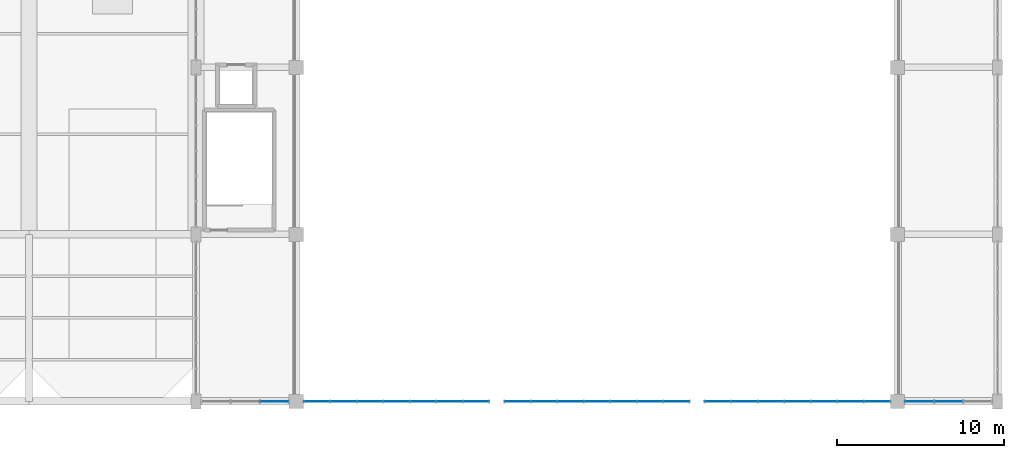
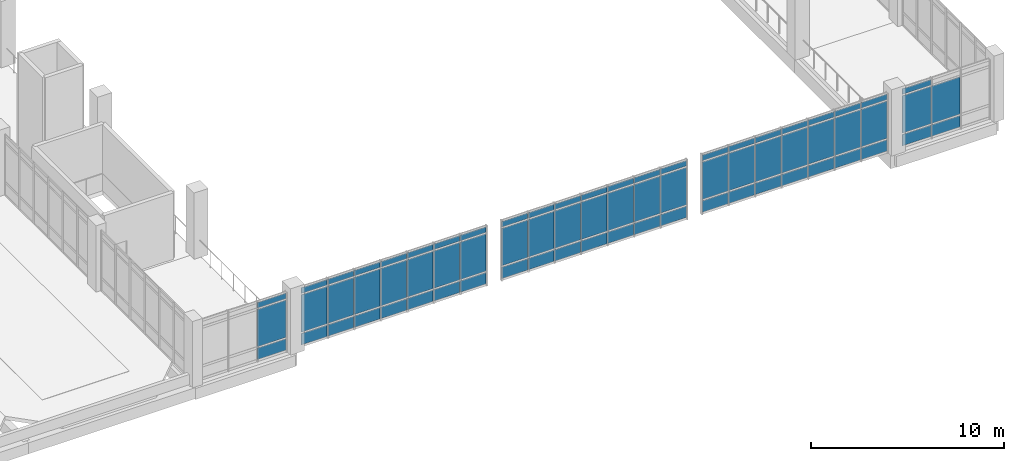
# One storey, part 136 of 161: 71 plates, 5 elements without a shape of their own.
"""IFC4 building model written with IfcOpenShell, lengths in metres."""

import ifcopenshell
import ifcopenshell.guid

model = None  # the IFC model being written
_history = None  # IfcOwnerHistory: only IFC2X3 demands one
_inside = {}  # id of a spatial element -> (the spatial element, [elements in it])
_under = {}  # id of a project, library or spatial element -> (it, [spatial elements below it])
_declared = {}  # id of a project -> (the project, [libraries it declares])
_typed = {}  # id of a type object -> (the type object, [elements of that type])
_made_of = {}  # id of a material, layer set ... -> (it, [elements and type objects made of it])


def new_model(schema):
    """Start an empty IFC model of exactly this schema.

    Asked for "IFC4X3", IfcOpenShell would pick the latest addendum, in which some entities
    have other attributes; the version numbers below select the first issue.
    IFC2X3 requires an IfcOwnerHistory on every rooted entity: one is made here for all.
    """
    global model, _history
    if schema == "IFC4X3":
        model = ifcopenshell.file(schema_version=(4, 3, 0, 0))
    else:
        model = ifcopenshell.file(schema=schema)
    _inside.clear()
    _under.clear()
    _declared.clear()
    _typed.clear()
    _made_of.clear()
    _history = None
    if model.schema == "IFC2X3":
        org = make("IfcOrganization", Name="unknown")
        user = make(
            "IfcPersonAndOrganization",
            ThePerson=make("IfcPerson", FamilyName="unknown"),
            TheOrganization=org,
        )
        app = make(
            "IfcApplication",
            ApplicationDeveloper=org,
            Version="unknown",
            ApplicationFullName="unknown",
            ApplicationIdentifier="unknown",
        )
        _history = make(
            "IfcOwnerHistory",
            OwningUser=user,
            OwningApplication=app,
            ChangeAction="ADDED",
            CreationDate=0,
        )
    return model


def make(cls, **values):
    """One entity of the class cls with the attributes given. An attribute that is None is left unset."""
    return model.create_entity(
        cls, **{name: value for name, value in values.items() if value is not None}
    )


def rooted(cls, **values):
    """An entity with a GlobalId (a new one), such as an element, a storey or a relation."""
    return make(cls, GlobalId=ifcopenshell.guid.new(), OwnerHistory=_history, **values)


def si_unit(unit_type, name, prefix=None):
    """IfcSIUnit, for example si_unit("LENGTHUNIT", "METRE", prefix="MILLI")."""
    return make("IfcSIUnit", UnitType=unit_type, Prefix=prefix, Name=name)


def assignment(units):
    """IfcUnitAssignment: the units of a project."""
    return None if units is None else make("IfcUnitAssignment", Units=units)


def point(xyz):
    """IfcCartesianPoint."""
    return None if xyz is None else make("IfcCartesianPoint", Coordinates=xyz)


def direction(xyz):
    """IfcDirection."""
    return None if xyz is None else make("IfcDirection", DirectionRatios=xyz)


def frame(location, z_axis=None, x_axis=None):
    """IfcAxis2Placement3D, a coordinate frame: its origin and axes. An axis left out is left unset."""
    return make(
        "IfcAxis2Placement3D",
        Location=point(location),
        Axis=direction(z_axis),
        RefDirection=direction(x_axis),
    )


def frame_2d(location, x_axis=None):
    """IfcAxis2Placement2D, a coordinate frame in the plane: its origin and x axis."""
    return make(
        "IfcAxis2Placement2D", Location=point(location), RefDirection=direction(x_axis)
    )


def origin():
    """The frame at (0, 0, 0) with its axes left unset."""
    return frame((0.0, 0.0, 0.0))


def origin_2d():
    """The frame at (0, 0) in the plane with its x axis left unset."""
    return frame_2d((0.0, 0.0))


def place(relative_to, where):
    """IfcLocalPlacement: puts the frame where relative to a parent placement (None: the world)."""
    return make(
        "IfcLocalPlacement", PlacementRelTo=relative_to, RelativePlacement=where
    )


def context(
    kind, dimensions, precision=None, world=None, true_north=None, identifier=None
):
    """IfcGeometricRepresentationContext, for example the 3D "Model" context."""
    return make(
        "IfcGeometricRepresentationContext",
        ContextIdentifier=identifier,
        ContextType=kind,
        CoordinateSpaceDimension=dimensions,
        Precision=precision,
        WorldCoordinateSystem=world,
        TrueNorth=true_north,
    )


def subcontext(parent, identifier, kind, view, scale=None):
    """IfcGeometricRepresentationSubContext, for example "Body" below "Model"."""
    return make(
        "IfcGeometricRepresentationSubContext",
        ContextIdentifier=identifier,
        ContextType=kind,
        ParentContext=parent,
        TargetScale=scale,
        TargetView=view,
    )


def project(units=None, contexts=None):
    """IfcProject with its units and contexts."""
    return rooted(
        "IfcProject",
        Name="project",
        RepresentationContexts=contexts,
        UnitsInContext=assignment(units),
    )


def spatial(cls, under=None, at=None, **own):
    """A site, building, storey or space (cls), placed at a placement, below another one or the project."""
    s = rooted(cls, ObjectPlacement=at, **own)
    if under is not None:
        _under.setdefault(under.id(), (under, []))[1].append(s)
    return s


def profile(cls, at=None, kind="AREA", **sizes):
    """A parametric profile (cls). Its sizes go by their IFC names, for example OverallWidth=200.0."""
    return make(cls, ProfileType=kind, Position=at, **sizes)


def rectangle(**sizes):
    """IfcRectangleProfileDef."""
    return profile("IfcRectangleProfileDef", **sizes)


def extrude(swept, where, along, depth):
    """IfcExtrudedAreaSolid: the profile swept, set in the frame where, extruded along a direction by depth."""
    return make(
        "IfcExtrudedAreaSolid",
        SweptArea=swept,
        Position=where,
        ExtrudedDirection=direction(along),
        Depth=depth,
    )


def shape(context_of_items, identifier, shape_type, items):
    """IfcShapeRepresentation: the items that make up one representation, for example the "Body"."""
    return make(
        "IfcShapeRepresentation",
        ContextOfItems=context_of_items,
        RepresentationIdentifier=identifier,
        RepresentationType=shape_type,
        Items=items,
    )


def material(Name=None, Category=None):
    """IfcMaterial."""
    return make("IfcMaterial", Name=Name, Category=Category)


def layer(
    of_material, thickness, ventilated=None, Name=None, Category=None, Priority=None
):
    """IfcMaterialLayer: one layer of a wall or slab, of a material (None: an air gap)."""
    return make(
        "IfcMaterialLayer",
        Material=of_material,
        LayerThickness=thickness,
        IsVentilated=ventilated,
        Name=Name,
        Category=Category,
        Priority=Priority,
    )


def layer_set(layers, Name=None):
    """IfcMaterialLayerSet."""
    return make("IfcMaterialLayerSet", MaterialLayers=layers, LayerSetName=Name)


def made_of(thing, what):
    """Note that an element or type object is made of a material, layer set ...; save() writes the relation."""
    if what is not None:
        _made_of.setdefault(what.id(), (what, []))[1].append(thing)
    return thing


def type_object(cls, material=None, **own):
    """A type object (cls), such as IfcWallType, which elements share."""
    return made_of(rooted(cls, **own), material)


def element(
    cls,
    number,
    at=None,
    inside=None,
    cuts=None,
    type_object=None,
    material=None,
    context=None,
    identifier="Body",
    shape_type=None,
    held_by="IfcProductDefinitionShape",
    body=None,
    shapes=None,
    **own,
):
    """One element of the class cls, such as IfcWall. Its Tag is "e" and its number.

    at: its placement. inside: the storey or other place that contains it. cuts: it is an
    opening in that element (IfcRelVoidsElement). A single representation is given by context,
    identifier, shape_type and body (its items); several are given by shapes. held_by: the class
    of the entity that holds the representations. save() writes the other relations.
    """
    e = rooted(cls, Tag="e%d" % number, ObjectPlacement=at, **own)
    if body is not None:
        shapes = [shape(context, identifier, shape_type, body)]
    if shapes is not None:
        e.Representation = make(held_by, Representations=shapes)
    if inside is not None:
        _inside.setdefault(inside.id(), (inside, []))[1].append(e)
    if cuts is not None:
        rooted(
            "IfcRelVoidsElement", RelatingBuildingElement=cuts, RelatedOpeningElement=e
        )
    if type_object is not None:
        _typed.setdefault(type_object.id(), (type_object, []))[1].append(e)
    return made_of(e, material)


def aggregate(whole, parts):
    """IfcRelAggregates: a whole, such as a stair, and the parts it consists of."""
    return rooted("IfcRelAggregates", RelatingObject=whole, RelatedObjects=parts)


def save(model, path):
    """Write the relations noted so far, then the file.

    IfcRelAggregates (storeys below a building ...), IfcRelContainedInSpatialStructure (elements
    in a storey), IfcRelDefinesByType, IfcRelAssociatesMaterial and IfcRelDeclares: one each for
    every whole, place, type object, material and project.
    """
    for whole, parts in _under.values():
        aggregate(whole, parts)
    for where, things in _inside.values():
        rooted(
            "IfcRelContainedInSpatialStructure",
            RelatedElements=things,
            RelatingStructure=where,
        )
    for kind, things in _typed.values():
        rooted("IfcRelDefinesByType", RelatedObjects=things, RelatingType=kind)
    for what, things in _made_of.values():
        rooted("IfcRelAssociatesMaterial", RelatedObjects=things, RelatingMaterial=what)
    for by, libraries in _declared.values():
        rooted("IfcRelDeclares", RelatingContext=by, RelatedDefinitions=libraries)
    model.write(path)


model = new_model("IFC4")

# Units and contexts
model_context = context("Model", 3, precision=1e-05, world=origin(), true_north=direction((0.0, 1.0)))
body_context = subcontext(model_context, "Body", "Model", "MODEL_VIEW")
ifc_project = project(units=[si_unit("LENGTHUNIT", "METRE"), si_unit("AREAUNIT", "SQUARE_METRE"), si_unit("VOLUMEUNIT", "CUBIC_METRE"), si_unit("PLANEANGLEUNIT", "RADIAN"), si_unit("MASSUNIT", "GRAM", prefix="KILO")], contexts=[model_context])

# Site, building, storey
site_placement = place(None, origin())
site = spatial("IfcSite", under=ifc_project, at=site_placement, CompositionType="ELEMENT")
building_placement = place(site_placement, origin())
building = spatial("IfcBuilding", under=site, at=building_placement, Name="Mersad Railyard Sports Hall", CompositionType="ELEMENT")
storey_placement = place(building_placement, frame((0.0, 0.0, 4.800048828125)))
storey = spatial("IfcBuildingStorey", under=building, at=storey_placement, Name="L01", CompositionType="ELEMENT", Elevation=4.800048828125)

# Curtain wall, plates
ifc_material_1 = material(Name="Aluminium 6063-T6", Category="aluminium")
ifc_layer_1 = layer(ifc_material_1, 0.199951171875)
ifc_layer_set_1 = layer_set([ifc_layer_1], Name="Aluminium 6063-T6")
curtain_wall_type_1 = type_object("IfcCurtainWallType", Name="ARC-CW-CW09", PredefinedType="USERDEFINED", material=ifc_layer_set_1)
curtain_wall_1_placement = place(storey_placement, origin())
curtain_wall_1 = element("IfcCurtainWall", 1, at=curtain_wall_1_placement, inside=storey, type_object=curtain_wall_type_1, Name="Curtain wall CW09-0036", ObjectType="CURTAIN WALL", PredefinedType="USERDEFINED")
ifc_material_2 = material(Name="Solar-control glass", Category="glass")
ifc_layer_2 = layer(ifc_material_2, 0.028076171875)
ifc_layer_set_2 = layer_set([ifc_layer_2], Name="Solar-control glass")
plate_type = type_object("IfcPlateType", Name="ARC-CW-PNL01", PredefinedType="CURTAIN_PANEL", material=ifc_layer_set_2)
plate_1_placement = place(storey_placement, frame((135.6826171875, 3.5, 0.0849609375), z_axis=(0.0, 0.0, 1.0), x_axis=(-1.0, 0.0, 0.0)))
plate_1 = element("IfcPlate", 2, at=plate_1_placement, type_object=plate_type, Name="CW09 Glazed panel 1-1", PredefinedType="CURTAIN_PANEL", context=body_context, shape_type="SweptSolid", body=[
    extrude(rectangle(XDim=1.700927734375, YDim=0.028076171875, at=origin_2d()), origin(), (0.0, 0.0, 1.0), 0.719970703125),
])
plate_2_placement = place(storey_placement, frame((135.6826171875, 3.5, 0.89501953125), z_axis=(0.0, 0.0, 1.0), x_axis=(-1.0, 0.0, 0.0)))
plate_2 = element("IfcPlate", 3, at=plate_2_placement, type_object=plate_type, Name="CW09 Glazed panel 1-2", PredefinedType="CURTAIN_PANEL", context=body_context, shape_type="SweptSolid", body=[
    extrude(rectangle(XDim=1.700927734375, YDim=0.028076171875, at=origin_2d()), origin(), (0.0, 0.0, 1.0), 2.360107421875),
])
plate_3_placement = place(storey_placement, frame((135.6826171875, 3.5, 3.344970703125), z_axis=(0.0, 0.0, 1.0), x_axis=(-1.0, 0.0, 0.0)))
plate_3 = element("IfcPlate", 4, at=plate_3_placement, type_object=plate_type, Name="CW09 Glazed panel 1-3", PredefinedType="CURTAIN_PANEL", context=body_context, shape_type="SweptSolid", body=[
    extrude(rectangle(XDim=1.700927734375, YDim=0.028076171875, at=origin_2d()), origin(), (0.0, 0.0, 1.0), 0.35009765625),
])
aggregate(curtain_wall_1, [plate_1, plate_2, plate_3])

ifc_layer_3 = layer(ifc_material_1, 0.199951171875)
ifc_layer_set_3 = layer_set([ifc_layer_3], Name="Aluminium 6063-T6")
curtain_wall_type_2 = type_object("IfcCurtainWallType", Name="ARC-CW-CW10", PredefinedType="USERDEFINED", material=ifc_layer_set_3)
curtain_wall_2_placement = place(storey_placement, origin())
curtain_wall_2 = element("IfcCurtainWall", 5, at=curtain_wall_2_placement, inside=storey, type_object=curtain_wall_type_2, Name="Curtain wall CW10-0037", ObjectType="CURTAIN WALL", PredefinedType="USERDEFINED")
plate_4_placement = place(storey_placement, frame((147.7568359375, 3.5, 0.0849609375), z_axis=(0.0, 0.0, 1.0), x_axis=(-1.0, 0.0, 0.0)))
plate_4 = element("IfcPlate", 6, at=plate_4_placement, type_object=plate_type, Name="CW10 Glazed panel 1-1", PredefinedType="CURTAIN_PANEL", context=body_context, shape_type="SweptSolid", body=[
    extrude(rectangle(XDim=1.54248046875, YDim=0.028076171875, at=origin_2d()), origin(), (0.0, 0.0, 1.0), 0.719970703125),
])
plate_5_placement = place(storey_placement, frame((147.7568359375, 3.5, 0.89501953125), z_axis=(0.0, 0.0, 1.0), x_axis=(-1.0, 0.0, 0.0)))
plate_5 = element("IfcPlate", 7, at=plate_5_placement, type_object=plate_type, Name="CW10 Glazed panel 1-2", PredefinedType="CURTAIN_PANEL", context=body_context, shape_type="SweptSolid", body=[
    extrude(rectangle(XDim=1.54248046875, YDim=0.028076171875, at=origin_2d()), origin(), (0.0, 0.0, 1.0), 2.360107421875),
])
plate_6_placement = place(storey_placement, frame((147.7568359375, 3.5, 3.344970703125), z_axis=(0.0, 0.0, 1.0), x_axis=(-1.0, 0.0, 0.0)))
plate_6 = element("IfcPlate", 8, at=plate_6_placement, type_object=plate_type, Name="CW10 Glazed panel 1-3", PredefinedType="CURTAIN_PANEL", context=body_context, shape_type="SweptSolid", body=[
    extrude(rectangle(XDim=1.54248046875, YDim=0.028076171875, at=origin_2d()), origin(), (0.0, 0.0, 1.0), 0.35009765625),
])
plate_7_placement = place(storey_placement, frame((146.17041015625, 3.5, 0.0849609375), z_axis=(0.0, 0.0, 1.0), x_axis=(-1.0, 0.0, 0.0)))
plate_7 = element("IfcPlate", 9, at=plate_7_placement, type_object=plate_type, Name="CW10 Glazed panel 2-1", PredefinedType="CURTAIN_PANEL", context=body_context, shape_type="SweptSolid", body=[
    extrude(rectangle(XDim=1.54248046875, YDim=0.028076171875, at=origin_2d()), origin(), (0.0, 0.0, 1.0), 0.719970703125),
])
plate_8_placement = place(storey_placement, frame((146.17041015625, 3.5, 0.89501953125), z_axis=(0.0, 0.0, 1.0), x_axis=(-1.0, 0.0, 0.0)))
plate_8 = element("IfcPlate", 10, at=plate_8_placement, type_object=plate_type, Name="CW10 Glazed panel 2-2", PredefinedType="CURTAIN_PANEL", context=body_context, shape_type="SweptSolid", body=[
    extrude(rectangle(XDim=1.54248046875, YDim=0.028076171875, at=origin_2d()), origin(), (0.0, 0.0, 1.0), 2.360107421875),
])
plate_9_placement = place(storey_placement, frame((146.17041015625, 3.5, 3.344970703125), z_axis=(0.0, 0.0, 1.0), x_axis=(-1.0, 0.0, 0.0)))
plate_9 = element("IfcPlate", 11, at=plate_9_placement, type_object=plate_type, Name="CW10 Glazed panel 2-3", PredefinedType="CURTAIN_PANEL", context=body_context, shape_type="SweptSolid", body=[
    extrude(rectangle(XDim=1.54248046875, YDim=0.028076171875, at=origin_2d()), origin(), (0.0, 0.0, 1.0), 0.35009765625),
])
plate_10_placement = place(storey_placement, frame((144.583984375, 3.5, 0.0849609375), z_axis=(0.0, 0.0, 1.0), x_axis=(-1.0, 0.0, 0.0)))
plate_10 = element("IfcPlate", 12, at=plate_10_placement, type_object=plate_type, Name="CW10 Glazed panel 3-1", PredefinedType="CURTAIN_PANEL", context=body_context, shape_type="SweptSolid", body=[
    extrude(rectangle(XDim=1.54248046875, YDim=0.028076171875, at=origin_2d()), origin(), (0.0, 0.0, 1.0), 0.719970703125),
])
plate_11_placement = place(storey_placement, frame((144.583984375, 3.5, 0.89501953125), z_axis=(0.0, 0.0, 1.0), x_axis=(-1.0, 0.0, 0.0)))
plate_11 = element("IfcPlate", 13, at=plate_11_placement, type_object=plate_type, Name="CW10 Glazed panel 3-2", PredefinedType="CURTAIN_PANEL", context=body_context, shape_type="SweptSolid", body=[
    extrude(rectangle(XDim=1.54248046875, YDim=0.028076171875, at=origin_2d()), origin(), (0.0, 0.0, 1.0), 2.360107421875),
])
plate_12_placement = place(storey_placement, frame((144.583984375, 3.5, 3.344970703125), z_axis=(0.0, 0.0, 1.0), x_axis=(-1.0, 0.0, 0.0)))
plate_12 = element("IfcPlate", 14, at=plate_12_placement, type_object=plate_type, Name="CW10 Glazed panel 3-3", PredefinedType="CURTAIN_PANEL", context=body_context, shape_type="SweptSolid", body=[
    extrude(rectangle(XDim=1.54248046875, YDim=0.028076171875, at=origin_2d()), origin(), (0.0, 0.0, 1.0), 0.35009765625),
])
plate_13_placement = place(storey_placement, frame((142.99755859375, 3.5, 0.0849609375), z_axis=(0.0, 0.0, 1.0), x_axis=(-1.0, 0.0, 0.0)))
plate_13 = element("IfcPlate", 15, at=plate_13_placement, type_object=plate_type, Name="CW10 Glazed panel 4-1", PredefinedType="CURTAIN_PANEL", context=body_context, shape_type="SweptSolid", body=[
    extrude(rectangle(XDim=1.54248046875, YDim=0.028076171875, at=origin_2d()), origin(), (0.0, 0.0, 1.0), 0.719970703125),
])
plate_14_placement = place(storey_placement, frame((142.99755859375, 3.5, 0.89501953125), z_axis=(0.0, 0.0, 1.0), x_axis=(-1.0, 0.0, 0.0)))
plate_14 = element("IfcPlate", 16, at=plate_14_placement, type_object=plate_type, Name="CW10 Glazed panel 4-2", PredefinedType="CURTAIN_PANEL", context=body_context, shape_type="SweptSolid", body=[
    extrude(rectangle(XDim=1.54248046875, YDim=0.028076171875, at=origin_2d()), origin(), (0.0, 0.0, 1.0), 2.360107421875),
])
plate_15_placement = place(storey_placement, frame((142.99755859375, 3.5, 3.344970703125), z_axis=(0.0, 0.0, 1.0), x_axis=(-1.0, 0.0, 0.0)))
plate_15 = element("IfcPlate", 17, at=plate_15_placement, type_object=plate_type, Name="CW10 Glazed panel 4-3", PredefinedType="CURTAIN_PANEL", context=body_context, shape_type="SweptSolid", body=[
    extrude(rectangle(XDim=1.54248046875, YDim=0.028076171875, at=origin_2d()), origin(), (0.0, 0.0, 1.0), 0.35009765625),
])
plate_16_placement = place(storey_placement, frame((141.4111328125, 3.5, 0.0849609375), z_axis=(0.0, 0.0, 1.0), x_axis=(-1.0, 0.0, 0.0)))
plate_16 = element("IfcPlate", 18, at=plate_16_placement, type_object=plate_type, Name="CW10 Glazed panel 5-1", PredefinedType="CURTAIN_PANEL", context=body_context, shape_type="SweptSolid", body=[
    extrude(rectangle(XDim=1.54248046875, YDim=0.028076171875, at=origin_2d()), origin(), (0.0, 0.0, 1.0), 0.719970703125),
])
plate_17_placement = place(storey_placement, frame((141.4111328125, 3.5, 0.89501953125), z_axis=(0.0, 0.0, 1.0), x_axis=(-1.0, 0.0, 0.0)))
plate_17 = element("IfcPlate", 19, at=plate_17_placement, type_object=plate_type, Name="CW10 Glazed panel 5-2", PredefinedType="CURTAIN_PANEL", context=body_context, shape_type="SweptSolid", body=[
    extrude(rectangle(XDim=1.54248046875, YDim=0.028076171875, at=origin_2d()), origin(), (0.0, 0.0, 1.0), 2.360107421875),
])
plate_18_placement = place(storey_placement, frame((141.4111328125, 3.5, 3.344970703125), z_axis=(0.0, 0.0, 1.0), x_axis=(-1.0, 0.0, 0.0)))
plate_18 = element("IfcPlate", 20, at=plate_18_placement, type_object=plate_type, Name="CW10 Glazed panel 5-3", PredefinedType="CURTAIN_PANEL", context=body_context, shape_type="SweptSolid", body=[
    extrude(rectangle(XDim=1.54248046875, YDim=0.028076171875, at=origin_2d()), origin(), (0.0, 0.0, 1.0), 0.35009765625),
])
plate_19_placement = place(storey_placement, frame((139.82470703125, 3.5, 0.0849609375), z_axis=(0.0, 0.0, 1.0), x_axis=(-1.0, 0.0, 0.0)))
plate_19 = element("IfcPlate", 21, at=plate_19_placement, type_object=plate_type, Name="CW10 Glazed panel 6-1", PredefinedType="CURTAIN_PANEL", context=body_context, shape_type="SweptSolid", body=[
    extrude(rectangle(XDim=1.54248046875, YDim=0.028076171875, at=origin_2d()), origin(), (0.0, 0.0, 1.0), 0.719970703125),
])
plate_20_placement = place(storey_placement, frame((139.82470703125, 3.5, 0.89501953125), z_axis=(0.0, 0.0, 1.0), x_axis=(-1.0, 0.0, 0.0)))
plate_20 = element("IfcPlate", 22, at=plate_20_placement, type_object=plate_type, Name="CW10 Glazed panel 6-2", PredefinedType="CURTAIN_PANEL", context=body_context, shape_type="SweptSolid", body=[
    extrude(rectangle(XDim=1.54248046875, YDim=0.028076171875, at=origin_2d()), origin(), (0.0, 0.0, 1.0), 2.360107421875),
])
plate_21_placement = place(storey_placement, frame((139.82470703125, 3.5, 3.344970703125), z_axis=(0.0, 0.0, 1.0), x_axis=(-1.0, 0.0, 0.0)))
plate_21 = element("IfcPlate", 23, at=plate_21_placement, type_object=plate_type, Name="CW10 Glazed panel 6-3", PredefinedType="CURTAIN_PANEL", context=body_context, shape_type="SweptSolid", body=[
    extrude(rectangle(XDim=1.54248046875, YDim=0.028076171875, at=origin_2d()), origin(), (0.0, 0.0, 1.0), 0.35009765625),
])
plate_22_placement = place(storey_placement, frame((138.23828125, 3.5, 0.0849609375), z_axis=(0.0, 0.0, 1.0), x_axis=(-1.0, 0.0, 0.0)))
plate_22 = element("IfcPlate", 24, at=plate_22_placement, type_object=plate_type, Name="CW10 Glazed panel 7-1", PredefinedType="CURTAIN_PANEL", context=body_context, shape_type="SweptSolid", body=[
    extrude(rectangle(XDim=1.54248046875, YDim=0.028076171875, at=origin_2d()), origin(), (0.0, 0.0, 1.0), 0.719970703125),
])
plate_23_placement = place(storey_placement, frame((138.23828125, 3.5, 0.89501953125), z_axis=(0.0, 0.0, 1.0), x_axis=(-1.0, 0.0, 0.0)))
plate_23 = element("IfcPlate", 25, at=plate_23_placement, type_object=plate_type, Name="CW10 Glazed panel 7-2", PredefinedType="CURTAIN_PANEL", context=body_context, shape_type="SweptSolid", body=[
    extrude(rectangle(XDim=1.54248046875, YDim=0.028076171875, at=origin_2d()), origin(), (0.0, 0.0, 1.0), 2.360107421875),
])
plate_24_placement = place(storey_placement, frame((138.23828125, 3.5, 3.344970703125), z_axis=(0.0, 0.0, 1.0), x_axis=(-1.0, 0.0, 0.0)))
plate_24 = element("IfcPlate", 26, at=plate_24_placement, type_object=plate_type, Name="CW10 Glazed panel 7-3", PredefinedType="CURTAIN_PANEL", context=body_context, shape_type="SweptSolid", body=[
    extrude(rectangle(XDim=1.54248046875, YDim=0.028076171875, at=origin_2d()), origin(), (0.0, 0.0, 1.0), 0.35009765625),
])
aggregate(curtain_wall_2, [plate_4, plate_5, plate_6, plate_7, plate_8, plate_9, plate_10, plate_11, plate_12, plate_13, plate_14, plate_15, plate_16, plate_17, plate_18, plate_19, plate_20, plate_21, plate_22, plate_23, plate_24])

ifc_layer_4 = layer(ifc_material_1, 0.199951171875)
ifc_layer_set_4 = layer_set([ifc_layer_4], Name="Aluminium 6063-T6")
curtain_wall_type_3 = type_object("IfcCurtainWallType", Name="ARC-CW-CW12", PredefinedType="USERDEFINED", material=ifc_layer_set_4)
curtain_wall_3_placement = place(storey_placement, origin())
curtain_wall_3 = element("IfcCurtainWall", 27, at=curtain_wall_3_placement, inside=storey, type_object=curtain_wall_type_3, Name="Curtain wall CW12-0039", ObjectType="CURTAIN WALL", PredefinedType="USERDEFINED")
plate_25_placement = place(storey_placement, frame((159.757080078125, 3.5, 0.0849609375), z_axis=(0.0, 0.0, 1.0), x_axis=(-1.0, 0.0, 0.0)))
plate_25 = element("IfcPlate", 28, at=plate_25_placement, type_object=plate_type, Name="CW12 Glazed panel 1-1", PredefinedType="CURTAIN_PANEL", context=body_context, shape_type="SweptSolid", body=[
    extrude(rectangle(XDim=1.541748046875, YDim=0.028076171875, at=origin_2d()), origin(), (0.0, 0.0, 1.0), 0.719970703125),
])
plate_26_placement = place(storey_placement, frame((159.757080078125, 3.5, 0.89501953125), z_axis=(0.0, 0.0, 1.0), x_axis=(-1.0, 0.0, 0.0)))
plate_26 = element("IfcPlate", 29, at=plate_26_placement, type_object=plate_type, Name="CW12 Glazed panel 1-2", PredefinedType="CURTAIN_PANEL", context=body_context, shape_type="SweptSolid", body=[
    extrude(rectangle(XDim=1.541748046875, YDim=0.028076171875, at=origin_2d()), origin(), (0.0, 0.0, 1.0), 2.360107421875),
])
plate_27_placement = place(storey_placement, frame((159.757080078125, 3.5, 3.344970703125), z_axis=(0.0, 0.0, 1.0), x_axis=(-1.0, 0.0, 0.0)))
plate_27 = element("IfcPlate", 30, at=plate_27_placement, type_object=plate_type, Name="CW12 Glazed panel 1-3", PredefinedType="CURTAIN_PANEL", context=body_context, shape_type="SweptSolid", body=[
    extrude(rectangle(XDim=1.541748046875, YDim=0.028076171875, at=origin_2d()), origin(), (0.0, 0.0, 1.0), 0.35009765625),
])
plate_28_placement = place(storey_placement, frame((158.17138671875, 3.5, 0.0849609375), z_axis=(0.0, 0.0, 1.0), x_axis=(-1.0, 0.0, 0.0)))
plate_28 = element("IfcPlate", 31, at=plate_28_placement, type_object=plate_type, Name="CW12 Glazed panel 2-1", PredefinedType="CURTAIN_PANEL", context=body_context, shape_type="SweptSolid", body=[
    extrude(rectangle(XDim=1.541748046875, YDim=0.028076171875, at=origin_2d()), origin(), (0.0, 0.0, 1.0), 0.719970703125),
])
plate_29_placement = place(storey_placement, frame((158.17138671875, 3.5, 0.89501953125), z_axis=(0.0, 0.0, 1.0), x_axis=(-1.0, 0.0, 0.0)))
plate_29 = element("IfcPlate", 32, at=plate_29_placement, type_object=plate_type, Name="CW12 Glazed panel 2-2", PredefinedType="CURTAIN_PANEL", context=body_context, shape_type="SweptSolid", body=[
    extrude(rectangle(XDim=1.541748046875, YDim=0.028076171875, at=origin_2d()), origin(), (0.0, 0.0, 1.0), 2.360107421875),
])
plate_30_placement = place(storey_placement, frame((158.17138671875, 3.5, 3.344970703125), z_axis=(0.0, 0.0, 1.0), x_axis=(-1.0, 0.0, 0.0)))
plate_30 = element("IfcPlate", 33, at=plate_30_placement, type_object=plate_type, Name="CW12 Glazed panel 2-3", PredefinedType="CURTAIN_PANEL", context=body_context, shape_type="SweptSolid", body=[
    extrude(rectangle(XDim=1.541748046875, YDim=0.028076171875, at=origin_2d()), origin(), (0.0, 0.0, 1.0), 0.35009765625),
])
plate_31_placement = place(storey_placement, frame((156.585693359375, 3.5, 0.0849609375), z_axis=(0.0, 0.0, 1.0), x_axis=(-1.0, 0.0, 0.0)))
plate_31 = element("IfcPlate", 34, at=plate_31_placement, type_object=plate_type, Name="CW12 Glazed panel 3-1", PredefinedType="CURTAIN_PANEL", context=body_context, shape_type="SweptSolid", body=[
    extrude(rectangle(XDim=1.541748046875, YDim=0.028076171875, at=origin_2d()), origin(), (0.0, 0.0, 1.0), 0.719970703125),
])
plate_32_placement = place(storey_placement, frame((156.585693359375, 3.5, 0.89501953125), z_axis=(0.0, 0.0, 1.0), x_axis=(-1.0, 0.0, 0.0)))
plate_32 = element("IfcPlate", 35, at=plate_32_placement, type_object=plate_type, Name="CW12 Glazed panel 3-2", PredefinedType="CURTAIN_PANEL", context=body_context, shape_type="SweptSolid", body=[
    extrude(rectangle(XDim=1.541748046875, YDim=0.028076171875, at=origin_2d()), origin(), (0.0, 0.0, 1.0), 2.360107421875),
])
plate_33_placement = place(storey_placement, frame((156.585693359375, 3.5, 3.344970703125), z_axis=(0.0, 0.0, 1.0), x_axis=(-1.0, 0.0, 0.0)))
plate_33 = element("IfcPlate", 36, at=plate_33_placement, type_object=plate_type, Name="CW12 Glazed panel 3-3", PredefinedType="CURTAIN_PANEL", context=body_context, shape_type="SweptSolid", body=[
    extrude(rectangle(XDim=1.541748046875, YDim=0.028076171875, at=origin_2d()), origin(), (0.0, 0.0, 1.0), 0.35009765625),
])
plate_34_placement = place(storey_placement, frame((155.0, 3.5, 0.0849609375), z_axis=(0.0, 0.0, 1.0), x_axis=(-1.0, 0.0, 0.0)))
plate_34 = element("IfcPlate", 37, at=plate_34_placement, type_object=plate_type, Name="CW12 Glazed panel 4-1", PredefinedType="CURTAIN_PANEL", context=body_context, shape_type="SweptSolid", body=[
    extrude(rectangle(XDim=1.541748046875, YDim=0.028076171875, at=origin_2d()), origin(), (0.0, 0.0, 1.0), 0.719970703125),
])
plate_35_placement = place(storey_placement, frame((155.0, 3.5, 0.89501953125), z_axis=(0.0, 0.0, 1.0), x_axis=(-1.0, 0.0, 0.0)))
plate_35 = element("IfcPlate", 38, at=plate_35_placement, type_object=plate_type, Name="CW12 Glazed panel 4-2", PredefinedType="CURTAIN_PANEL", context=body_context, shape_type="SweptSolid", body=[
    extrude(rectangle(XDim=1.541748046875, YDim=0.028076171875, at=origin_2d()), origin(), (0.0, 0.0, 1.0), 2.360107421875),
])
plate_36_placement = place(storey_placement, frame((155.0, 3.5, 3.344970703125), z_axis=(0.0, 0.0, 1.0), x_axis=(-1.0, 0.0, 0.0)))
plate_36 = element("IfcPlate", 39, at=plate_36_placement, type_object=plate_type, Name="CW12 Glazed panel 4-3", PredefinedType="CURTAIN_PANEL", context=body_context, shape_type="SweptSolid", body=[
    extrude(rectangle(XDim=1.541748046875, YDim=0.028076171875, at=origin_2d()), origin(), (0.0, 0.0, 1.0), 0.35009765625),
])
plate_37_placement = place(storey_placement, frame((153.414306640625, 3.5, 0.0849609375), z_axis=(0.0, 0.0, 1.0), x_axis=(-1.0, 0.0, 0.0)))
plate_37 = element("IfcPlate", 40, at=plate_37_placement, type_object=plate_type, Name="CW12 Glazed panel 5-1", PredefinedType="CURTAIN_PANEL", context=body_context, shape_type="SweptSolid", body=[
    extrude(rectangle(XDim=1.541748046875, YDim=0.028076171875, at=origin_2d()), origin(), (0.0, 0.0, 1.0), 0.719970703125),
])
plate_38_placement = place(storey_placement, frame((153.414306640625, 3.5, 0.89501953125), z_axis=(0.0, 0.0, 1.0), x_axis=(-1.0, 0.0, 0.0)))
plate_38 = element("IfcPlate", 41, at=plate_38_placement, type_object=plate_type, Name="CW12 Glazed panel 5-2", PredefinedType="CURTAIN_PANEL", context=body_context, shape_type="SweptSolid", body=[
    extrude(rectangle(XDim=1.541748046875, YDim=0.028076171875, at=origin_2d()), origin(), (0.0, 0.0, 1.0), 2.360107421875),
])
plate_39_placement = place(storey_placement, frame((153.414306640625, 3.5, 3.344970703125), z_axis=(0.0, 0.0, 1.0), x_axis=(-1.0, 0.0, 0.0)))
plate_39 = element("IfcPlate", 42, at=plate_39_placement, type_object=plate_type, Name="CW12 Glazed panel 5-3", PredefinedType="CURTAIN_PANEL", context=body_context, shape_type="SweptSolid", body=[
    extrude(rectangle(XDim=1.541748046875, YDim=0.028076171875, at=origin_2d()), origin(), (0.0, 0.0, 1.0), 0.35009765625),
])
plate_40_placement = place(storey_placement, frame((151.82861328125, 3.5, 0.0849609375), z_axis=(0.0, 0.0, 1.0), x_axis=(-1.0, 0.0, 0.0)))
plate_40 = element("IfcPlate", 43, at=plate_40_placement, type_object=plate_type, Name="CW12 Glazed panel 6-1", PredefinedType="CURTAIN_PANEL", context=body_context, shape_type="SweptSolid", body=[
    extrude(rectangle(XDim=1.541748046875, YDim=0.028076171875, at=origin_2d()), origin(), (0.0, 0.0, 1.0), 0.719970703125),
])
plate_41_placement = place(storey_placement, frame((151.82861328125, 3.5, 0.89501953125), z_axis=(0.0, 0.0, 1.0), x_axis=(-1.0, 0.0, 0.0)))
plate_41 = element("IfcPlate", 44, at=plate_41_placement, type_object=plate_type, Name="CW12 Glazed panel 6-2", PredefinedType="CURTAIN_PANEL", context=body_context, shape_type="SweptSolid", body=[
    extrude(rectangle(XDim=1.541748046875, YDim=0.028076171875, at=origin_2d()), origin(), (0.0, 0.0, 1.0), 2.360107421875),
])
plate_42_placement = place(storey_placement, frame((151.82861328125, 3.5, 3.344970703125), z_axis=(0.0, 0.0, 1.0), x_axis=(-1.0, 0.0, 0.0)))
plate_42 = element("IfcPlate", 45, at=plate_42_placement, type_object=plate_type, Name="CW12 Glazed panel 6-3", PredefinedType="CURTAIN_PANEL", context=body_context, shape_type="SweptSolid", body=[
    extrude(rectangle(XDim=1.541748046875, YDim=0.028076171875, at=origin_2d()), origin(), (0.0, 0.0, 1.0), 0.35009765625),
])
plate_43_placement = place(storey_placement, frame((150.242919921875, 3.5, 0.0849609375), z_axis=(0.0, 0.0, 1.0), x_axis=(-1.0, 0.0, 0.0)))
plate_43 = element("IfcPlate", 46, at=plate_43_placement, type_object=plate_type, Name="CW12 Glazed panel 7-1", PredefinedType="CURTAIN_PANEL", context=body_context, shape_type="SweptSolid", body=[
    extrude(rectangle(XDim=1.541748046875, YDim=0.028076171875, at=origin_2d()), origin(), (0.0, 0.0, 1.0), 0.719970703125),
])
plate_44_placement = place(storey_placement, frame((150.242919921875, 3.5, 0.89501953125), z_axis=(0.0, 0.0, 1.0), x_axis=(-1.0, 0.0, 0.0)))
plate_44 = element("IfcPlate", 47, at=plate_44_placement, type_object=plate_type, Name="CW12 Glazed panel 7-2", PredefinedType="CURTAIN_PANEL", context=body_context, shape_type="SweptSolid", body=[
    extrude(rectangle(XDim=1.541748046875, YDim=0.028076171875, at=origin_2d()), origin(), (0.0, 0.0, 1.0), 2.360107421875),
])
plate_45_placement = place(storey_placement, frame((150.242919921875, 3.5, 3.344970703125), z_axis=(0.0, 0.0, 1.0), x_axis=(-1.0, 0.0, 0.0)))
plate_45 = element("IfcPlate", 48, at=plate_45_placement, type_object=plate_type, Name="CW12 Glazed panel 7-3", PredefinedType="CURTAIN_PANEL", context=body_context, shape_type="SweptSolid", body=[
    extrude(rectangle(XDim=1.541748046875, YDim=0.028076171875, at=origin_2d()), origin(), (0.0, 0.0, 1.0), 0.35009765625),
])
aggregate(curtain_wall_3, [plate_25, plate_26, plate_27, plate_28, plate_29, plate_30, plate_31, plate_32, plate_33, plate_34, plate_35, plate_36, plate_37, plate_38, plate_39, plate_40, plate_41, plate_42, plate_43, plate_44, plate_45])

curtain_wall_4_placement = place(storey_placement, origin())
curtain_wall_4 = element("IfcCurtainWall", 49, at=curtain_wall_4_placement, inside=storey, type_object=curtain_wall_type_2, Name="Curtain wall CW10-0041", ObjectType="CURTAIN WALL", PredefinedType="USERDEFINED")
plate_46_placement = place(storey_placement, frame((171.76171875, 3.5, 0.0849609375), z_axis=(0.0, 0.0, 1.0), x_axis=(-1.0, 0.0, 0.0)))
plate_46 = element("IfcPlate", 50, at=plate_46_placement, type_object=plate_type, Name="CW10 Glazed panel 1-1", PredefinedType="CURTAIN_PANEL", context=body_context, shape_type="SweptSolid", body=[
    extrude(rectangle(XDim=1.54248046875, YDim=0.028076171875, at=origin_2d()), origin(), (0.0, 0.0, 1.0), 0.719970703125),
])
plate_47_placement = place(storey_placement, frame((171.76171875, 3.5, 0.89501953125), z_axis=(0.0, 0.0, 1.0), x_axis=(-1.0, 0.0, 0.0)))
plate_47 = element("IfcPlate", 51, at=plate_47_placement, type_object=plate_type, Name="CW10 Glazed panel 1-2", PredefinedType="CURTAIN_PANEL", context=body_context, shape_type="SweptSolid", body=[
    extrude(rectangle(XDim=1.54248046875, YDim=0.028076171875, at=origin_2d()), origin(), (0.0, 0.0, 1.0), 2.360107421875),
])
plate_48_placement = place(storey_placement, frame((171.76171875, 3.5, 3.344970703125), z_axis=(0.0, 0.0, 1.0), x_axis=(-1.0, 0.0, 0.0)))
plate_48 = element("IfcPlate", 52, at=plate_48_placement, type_object=plate_type, Name="CW10 Glazed panel 1-3", PredefinedType="CURTAIN_PANEL", context=body_context, shape_type="SweptSolid", body=[
    extrude(rectangle(XDim=1.54248046875, YDim=0.028076171875, at=origin_2d()), origin(), (0.0, 0.0, 1.0), 0.35009765625),
])
plate_49_placement = place(storey_placement, frame((170.17529296875, 3.5, 0.0849609375), z_axis=(0.0, 0.0, 1.0), x_axis=(-1.0, 0.0, 0.0)))
plate_49 = element("IfcPlate", 53, at=plate_49_placement, type_object=plate_type, Name="CW10 Glazed panel 2-1", PredefinedType="CURTAIN_PANEL", context=body_context, shape_type="SweptSolid", body=[
    extrude(rectangle(XDim=1.54248046875, YDim=0.028076171875, at=origin_2d()), origin(), (0.0, 0.0, 1.0), 0.719970703125),
])
plate_50_placement = place(storey_placement, frame((170.17529296875, 3.5, 0.89501953125), z_axis=(0.0, 0.0, 1.0), x_axis=(-1.0, 0.0, 0.0)))
plate_50 = element("IfcPlate", 54, at=plate_50_placement, type_object=plate_type, Name="CW10 Glazed panel 2-2", PredefinedType="CURTAIN_PANEL", context=body_context, shape_type="SweptSolid", body=[
    extrude(rectangle(XDim=1.54248046875, YDim=0.028076171875, at=origin_2d()), origin(), (0.0, 0.0, 1.0), 2.360107421875),
])
plate_51_placement = place(storey_placement, frame((170.17529296875, 3.5, 3.344970703125), z_axis=(0.0, 0.0, 1.0), x_axis=(-1.0, 0.0, 0.0)))
plate_51 = element("IfcPlate", 55, at=plate_51_placement, type_object=plate_type, Name="CW10 Glazed panel 2-3", PredefinedType="CURTAIN_PANEL", context=body_context, shape_type="SweptSolid", body=[
    extrude(rectangle(XDim=1.54248046875, YDim=0.028076171875, at=origin_2d()), origin(), (0.0, 0.0, 1.0), 0.35009765625),
])
plate_52_placement = place(storey_placement, frame((168.5888671875, 3.5, 0.0849609375), z_axis=(0.0, 0.0, 1.0), x_axis=(-1.0, 0.0, 0.0)))
plate_52 = element("IfcPlate", 56, at=plate_52_placement, type_object=plate_type, Name="CW10 Glazed panel 3-1", PredefinedType="CURTAIN_PANEL", context=body_context, shape_type="SweptSolid", body=[
    extrude(rectangle(XDim=1.54248046875, YDim=0.028076171875, at=origin_2d()), origin(), (0.0, 0.0, 1.0), 0.719970703125),
])
plate_53_placement = place(storey_placement, frame((168.5888671875, 3.5, 0.89501953125), z_axis=(0.0, 0.0, 1.0), x_axis=(-1.0, 0.0, 0.0)))
plate_53 = element("IfcPlate", 57, at=plate_53_placement, type_object=plate_type, Name="CW10 Glazed panel 3-2", PredefinedType="CURTAIN_PANEL", context=body_context, shape_type="SweptSolid", body=[
    extrude(rectangle(XDim=1.54248046875, YDim=0.028076171875, at=origin_2d()), origin(), (0.0, 0.0, 1.0), 2.360107421875),
])
plate_54_placement = place(storey_placement, frame((168.5888671875, 3.5, 3.344970703125), z_axis=(0.0, 0.0, 1.0), x_axis=(-1.0, 0.0, 0.0)))
plate_54 = element("IfcPlate", 58, at=plate_54_placement, type_object=plate_type, Name="CW10 Glazed panel 3-3", PredefinedType="CURTAIN_PANEL", context=body_context, shape_type="SweptSolid", body=[
    extrude(rectangle(XDim=1.54248046875, YDim=0.028076171875, at=origin_2d()), origin(), (0.0, 0.0, 1.0), 0.35009765625),
])
plate_55_placement = place(storey_placement, frame((167.00244140625, 3.5, 0.0849609375), z_axis=(0.0, 0.0, 1.0), x_axis=(-1.0, 0.0, 0.0)))
plate_55 = element("IfcPlate", 59, at=plate_55_placement, type_object=plate_type, Name="CW10 Glazed panel 4-1", PredefinedType="CURTAIN_PANEL", context=body_context, shape_type="SweptSolid", body=[
    extrude(rectangle(XDim=1.54248046875, YDim=0.028076171875, at=origin_2d()), origin(), (0.0, 0.0, 1.0), 0.719970703125),
])
plate_56_placement = place(storey_placement, frame((167.00244140625, 3.5, 0.89501953125), z_axis=(0.0, 0.0, 1.0), x_axis=(-1.0, 0.0, 0.0)))
plate_56 = element("IfcPlate", 60, at=plate_56_placement, type_object=plate_type, Name="CW10 Glazed panel 4-2", PredefinedType="CURTAIN_PANEL", context=body_context, shape_type="SweptSolid", body=[
    extrude(rectangle(XDim=1.54248046875, YDim=0.028076171875, at=origin_2d()), origin(), (0.0, 0.0, 1.0), 2.360107421875),
])
plate_57_placement = place(storey_placement, frame((167.00244140625, 3.5, 3.344970703125), z_axis=(0.0, 0.0, 1.0), x_axis=(-1.0, 0.0, 0.0)))
plate_57 = element("IfcPlate", 61, at=plate_57_placement, type_object=plate_type, Name="CW10 Glazed panel 4-3", PredefinedType="CURTAIN_PANEL", context=body_context, shape_type="SweptSolid", body=[
    extrude(rectangle(XDim=1.54248046875, YDim=0.028076171875, at=origin_2d()), origin(), (0.0, 0.0, 1.0), 0.35009765625),
])
plate_58_placement = place(storey_placement, frame((165.416015625, 3.5, 0.0849609375), z_axis=(0.0, 0.0, 1.0), x_axis=(-1.0, 0.0, 0.0)))
plate_58 = element("IfcPlate", 62, at=plate_58_placement, type_object=plate_type, Name="CW10 Glazed panel 5-1", PredefinedType="CURTAIN_PANEL", context=body_context, shape_type="SweptSolid", body=[
    extrude(rectangle(XDim=1.54248046875, YDim=0.028076171875, at=origin_2d()), origin(), (0.0, 0.0, 1.0), 0.719970703125),
])
plate_59_placement = place(storey_placement, frame((165.416015625, 3.5, 0.89501953125), z_axis=(0.0, 0.0, 1.0), x_axis=(-1.0, 0.0, 0.0)))
plate_59 = element("IfcPlate", 63, at=plate_59_placement, type_object=plate_type, Name="CW10 Glazed panel 5-2", PredefinedType="CURTAIN_PANEL", context=body_context, shape_type="SweptSolid", body=[
    extrude(rectangle(XDim=1.54248046875, YDim=0.028076171875, at=origin_2d()), origin(), (0.0, 0.0, 1.0), 2.360107421875),
])
plate_60_placement = place(storey_placement, frame((165.416015625, 3.5, 3.344970703125), z_axis=(0.0, 0.0, 1.0), x_axis=(-1.0, 0.0, 0.0)))
plate_60 = element("IfcPlate", 64, at=plate_60_placement, type_object=plate_type, Name="CW10 Glazed panel 5-3", PredefinedType="CURTAIN_PANEL", context=body_context, shape_type="SweptSolid", body=[
    extrude(rectangle(XDim=1.54248046875, YDim=0.028076171875, at=origin_2d()), origin(), (0.0, 0.0, 1.0), 0.35009765625),
])
plate_61_placement = place(storey_placement, frame((163.82958984375, 3.5, 0.0849609375), z_axis=(0.0, 0.0, 1.0), x_axis=(-1.0, 0.0, 0.0)))
plate_61 = element("IfcPlate", 65, at=plate_61_placement, type_object=plate_type, Name="CW10 Glazed panel 6-1", PredefinedType="CURTAIN_PANEL", context=body_context, shape_type="SweptSolid", body=[
    extrude(rectangle(XDim=1.54248046875, YDim=0.028076171875, at=origin_2d()), origin(), (0.0, 0.0, 1.0), 0.719970703125),
])
plate_62_placement = place(storey_placement, frame((163.82958984375, 3.5, 0.89501953125), z_axis=(0.0, 0.0, 1.0), x_axis=(-1.0, 0.0, 0.0)))
plate_62 = element("IfcPlate", 66, at=plate_62_placement, type_object=plate_type, Name="CW10 Glazed panel 6-2", PredefinedType="CURTAIN_PANEL", context=body_context, shape_type="SweptSolid", body=[
    extrude(rectangle(XDim=1.54248046875, YDim=0.028076171875, at=origin_2d()), origin(), (0.0, 0.0, 1.0), 2.360107421875),
])
plate_63_placement = place(storey_placement, frame((163.82958984375, 3.5, 3.344970703125), z_axis=(0.0, 0.0, 1.0), x_axis=(-1.0, 0.0, 0.0)))
plate_63 = element("IfcPlate", 67, at=plate_63_placement, type_object=plate_type, Name="CW10 Glazed panel 6-3", PredefinedType="CURTAIN_PANEL", context=body_context, shape_type="SweptSolid", body=[
    extrude(rectangle(XDim=1.54248046875, YDim=0.028076171875, at=origin_2d()), origin(), (0.0, 0.0, 1.0), 0.35009765625),
])
plate_64_placement = place(storey_placement, frame((162.2431640625, 3.5, 0.0849609375), z_axis=(0.0, 0.0, 1.0), x_axis=(-1.0, 0.0, 0.0)))
plate_64 = element("IfcPlate", 68, at=plate_64_placement, type_object=plate_type, Name="CW10 Glazed panel 7-1", PredefinedType="CURTAIN_PANEL", context=body_context, shape_type="SweptSolid", body=[
    extrude(rectangle(XDim=1.54248046875, YDim=0.028076171875, at=origin_2d()), origin(), (0.0, 0.0, 1.0), 0.719970703125),
])
plate_65_placement = place(storey_placement, frame((162.2431640625, 3.5, 0.89501953125), z_axis=(0.0, 0.0, 1.0), x_axis=(-1.0, 0.0, 0.0)))
plate_65 = element("IfcPlate", 69, at=plate_65_placement, type_object=plate_type, Name="CW10 Glazed panel 7-2", PredefinedType="CURTAIN_PANEL", context=body_context, shape_type="SweptSolid", body=[
    extrude(rectangle(XDim=1.54248046875, YDim=0.028076171875, at=origin_2d()), origin(), (0.0, 0.0, 1.0), 2.360107421875),
])
plate_66_placement = place(storey_placement, frame((162.2431640625, 3.5, 3.344970703125), z_axis=(0.0, 0.0, 1.0), x_axis=(-1.0, 0.0, 0.0)))
plate_66 = element("IfcPlate", 70, at=plate_66_placement, type_object=plate_type, Name="CW10 Glazed panel 7-3", PredefinedType="CURTAIN_PANEL", context=body_context, shape_type="SweptSolid", body=[
    extrude(rectangle(XDim=1.54248046875, YDim=0.028076171875, at=origin_2d()), origin(), (0.0, 0.0, 1.0), 0.35009765625),
])
aggregate(curtain_wall_4, [plate_46, plate_47, plate_48, plate_49, plate_50, plate_51, plate_52, plate_53, plate_54, plate_55, plate_56, plate_57, plate_58, plate_59, plate_60, plate_61, plate_62, plate_63, plate_64, plate_65, plate_66])

curtain_wall_5_placement = place(storey_placement, origin())
curtain_wall_5 = element("IfcCurtainWall", 71, at=curtain_wall_5_placement, inside=storey, type_object=curtain_wall_type_1, Name="Curtain wall CW09-0043", ObjectType="CURTAIN WALL", PredefinedType="USERDEFINED")
plate_67_placement = place(storey_placement, frame((176.0625, 3.5, 0.0849609375), z_axis=(0.0, 0.0, 1.0), x_axis=(-1.0, 0.0, 0.0)))
plate_67 = element("IfcPlate", 72, at=plate_67_placement, type_object=plate_type, Name="CW09 Glazed panel 2-1", PredefinedType="CURTAIN_PANEL", context=body_context, shape_type="SweptSolid", body=[
    extrude(rectangle(XDim=1.700927734375, YDim=0.028076171875, at=origin_2d()), origin(), (0.0, 0.0, 1.0), 0.719970703125),
])
plate_68_placement = place(storey_placement, frame((176.0625, 3.5, 0.89501953125), z_axis=(0.0, 0.0, 1.0), x_axis=(-1.0, 0.0, 0.0)))
plate_68 = element("IfcPlate", 73, at=plate_68_placement, type_object=plate_type, Name="CW09 Glazed panel 2-2", PredefinedType="CURTAIN_PANEL", context=body_context, shape_type="SweptSolid", body=[
    extrude(rectangle(XDim=1.700927734375, YDim=0.028076171875, at=origin_2d()), origin(), (0.0, 0.0, 1.0), 2.360107421875),
])
plate_69_placement = place(storey_placement, frame((174.3173828125, 3.5, 0.0849609375), z_axis=(0.0, 0.0, 1.0), x_axis=(-1.0, 0.0, 0.0)))
plate_69 = element("IfcPlate", 74, at=plate_69_placement, type_object=plate_type, Name="CW09 Glazed panel 3-1", PredefinedType="CURTAIN_PANEL", context=body_context, shape_type="SweptSolid", body=[
    extrude(rectangle(XDim=1.700927734375, YDim=0.028076171875, at=origin_2d()), origin(), (0.0, 0.0, 1.0), 0.719970703125),
])
plate_70_placement = place(storey_placement, frame((174.3173828125, 3.5, 0.89501953125), z_axis=(0.0, 0.0, 1.0), x_axis=(-1.0, 0.0, 0.0)))
plate_70 = element("IfcPlate", 75, at=plate_70_placement, type_object=plate_type, Name="CW09 Glazed panel 3-2", PredefinedType="CURTAIN_PANEL", context=body_context, shape_type="SweptSolid", body=[
    extrude(rectangle(XDim=1.700927734375, YDim=0.028076171875, at=origin_2d()), origin(), (0.0, 0.0, 1.0), 2.360107421875),
])
plate_71_placement = place(storey_placement, frame((174.3173828125, 3.5, 3.344970703125), z_axis=(0.0, 0.0, 1.0), x_axis=(-1.0, 0.0, 0.0)))
plate_71 = element("IfcPlate", 76, at=plate_71_placement, type_object=plate_type, Name="CW09 Glazed panel 3-3", PredefinedType="CURTAIN_PANEL", context=body_context, shape_type="SweptSolid", body=[
    extrude(rectangle(XDim=1.700927734375, YDim=0.028076171875, at=origin_2d()), origin(), (0.0, 0.0, 1.0), 0.35009765625),
])
aggregate(curtain_wall_5, [plate_67, plate_68, plate_69, plate_70, plate_71])

save(model, "model.ifc")
